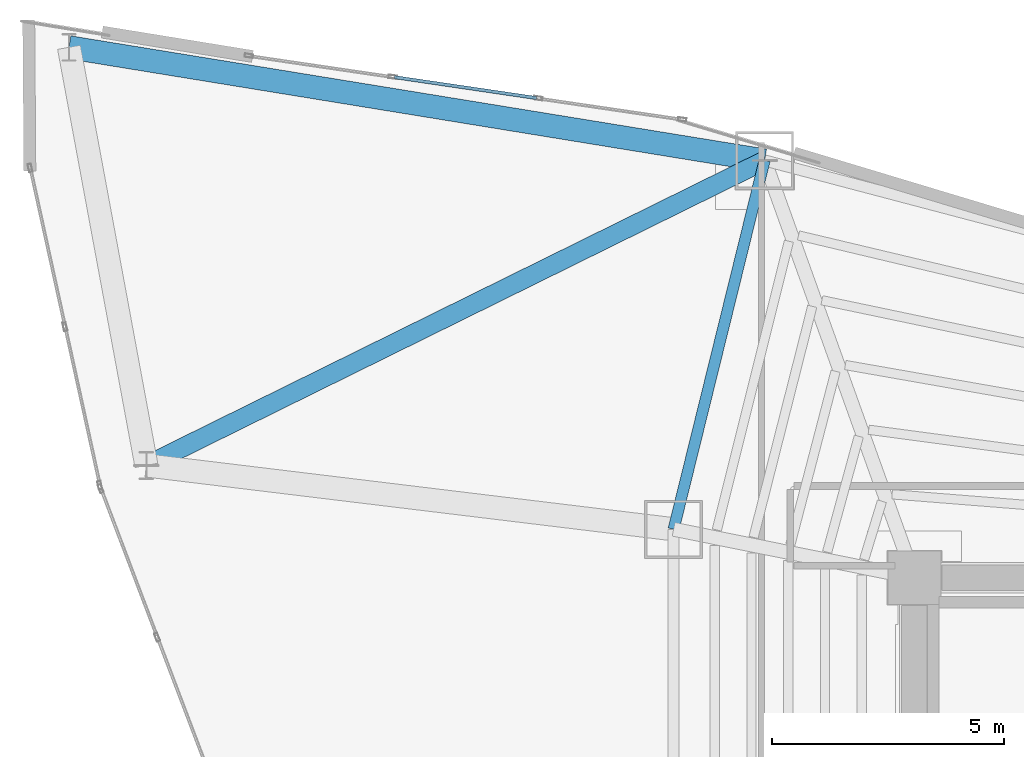
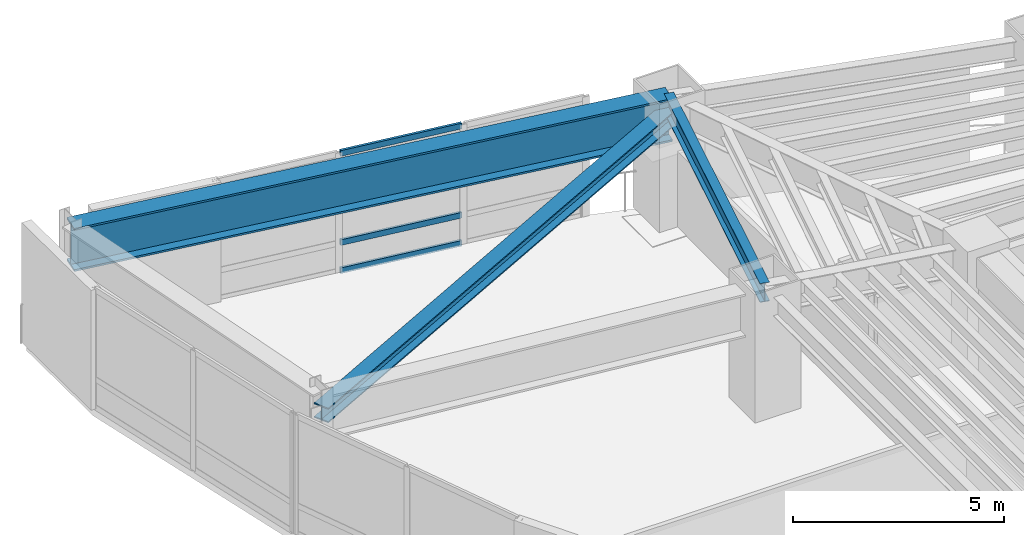
# One storey, part 11 of 23: 4 members, 2 beams, 1 element without a shape of its own.
"""IFC4 building model written with IfcOpenShell, lengths in metres."""

from ifc_helpers import new_model, si_unit, direction, frame, origin, origin_2d, place, context, subcontext, project, spatial, hollow_rectangle, i_section, extrude, material, layer, layer_set, material_profile, profile_set, type_object, element, aggregate, save


model = new_model("IFC4")

# Units and contexts
model_context = context("Model", 3, precision=1e-05, world=origin(), true_north=direction((0.0, 1.0)))
body_context = subcontext(model_context, "Body", "Model", "MODEL_VIEW")
ifc_project = project(units=[si_unit("LENGTHUNIT", "METRE"), si_unit("AREAUNIT", "SQUARE_METRE"), si_unit("VOLUMEUNIT", "CUBIC_METRE"), si_unit("PLANEANGLEUNIT", "RADIAN"), si_unit("MASSUNIT", "GRAM", prefix="KILO")], contexts=[model_context])

# Site, building, storey
site_placement = place(None, origin())
site = spatial("IfcSite", under=ifc_project, at=site_placement, CompositionType="ELEMENT")
building_placement = place(site_placement, origin())
building = spatial("IfcBuilding", under=site, at=building_placement, Name="Menara Vayukalpa", CompositionType="ELEMENT")
storey_placement = place(building_placement, frame((0.0, 0.0, 103.97998046875)))
storey = spatial("IfcBuildingStorey", under=building, at=storey_placement, Name="L25", CompositionType="ELEMENT", Elevation=103.97998046875)

# Beams
ifc_material_1 = material(Name="Steel S355", Category="steel")
ifc_material_profile_1 = material_profile(ifc_material_1, i_section(OverallWidth=0.239990234375, OverallDepth=0.550048828125, WebThickness=0.010986328125, FlangeThickness=0.01904296875, at=origin_2d()), Name="WF 550x240x11x19")
ifc_profile_set_1 = profile_set([ifc_material_profile_1], Name="Steel S355")
beam_type_1 = type_object("IfcBeamType", Name="BM-SP2", PredefinedType="SPANDREL", material=ifc_profile_set_1)
beam_1_placement = place(storey_placement, frame((14.569091796875, 35.79736328125, 3.195068359375), z_axis=(-0.239602739234, -0.970871014786, 0.0), x_axis=(0.970871014786, -0.239602739234, 0.0)))
element("IfcBeam", 1, at=beam_1_placement, inside=storey, type_object=beam_type_1, Name="L25 Perimeter Spandrel Beam SP04", PredefinedType="SPANDREL", context=body_context, shape_type="SweptSolid", body=[
    extrude(i_section(OverallWidth=0.239990234375, OverallDepth=0.550048828125, WebThickness=0.010986328125, FlangeThickness=0.01904296875, at=origin_2d()), origin(), (0.0, 0.0, 1.0), 8.190185546875),
])
ifc_material_2 = material(Name="Steel S460", Category="steel")
ifc_material_profile_2 = material_profile(ifc_material_2, i_section(OverallWidth=0.5, OverallDepth=1.25, WebThickness=0.028076171875, FlangeThickness=0.054931640625, at=origin_2d()), Name="WG 1250x500x28x55")
ifc_profile_set_2 = profile_set([ifc_material_profile_2], Name="Steel S460")
beam_type_2 = type_object("IfcBeamType", Name="BM-TG2", PredefinedType="BEAM", material=ifc_profile_set_2)
beam_2_placement = place(storey_placement, frame((14.569091796875, 35.79736328125, 2.844970703125), z_axis=(-0.987023560608, 0.160575498766, 0.0), x_axis=(-0.160575498766, -0.987023560608, 0.0)))
element("IfcBeam", 2, at=beam_2_placement, inside=storey, type_object=beam_type_2, Name="L25 SB2 Sky Bar Vierendeel Girder 04", PredefinedType="BEAM", context=body_context, shape_type="SweptSolid", body=[
    extrude(i_section(OverallWidth=0.5, OverallDepth=1.25, WebThickness=0.028076171875, FlangeThickness=0.054931640625, at=origin_2d()), origin(), (0.0, 0.0, 1.0), 15.195068359375),
])

# Curtain wall, members
ifc_material_3 = material(Name="Anodised Terracotta Aluminium Alloy 6063-T6", Category="masonry")
ifc_layer = layer(ifc_material_3, 0.179931640625)
ifc_layer_set = layer_set([ifc_layer], Name="Anodised Terracotta Aluminium Alloy 6063-T6")
curtain_wall_type = type_object("IfcCurtainWallType", Name="CW-CW4", PredefinedType="USERDEFINED", material=ifc_layer_set)
curtain_wall_placement = place(storey_placement, origin())
curtain_wall = element("IfcCurtainWall", 3, at=curtain_wall_placement, inside=storey, type_object=curtain_wall_type, Name="L25 Sky Bar Cantilever Glazed Curtain Wall CW4 07", ObjectType="UNITISED", PredefinedType="USERDEFINED")
ifc_material_4 = material(Name="Anodised Terracotta Aluminium Alloy 6063-T6", Category="masonry")
ifc_material_profile_3 = material_profile(ifc_material_4, hollow_rectangle(XDim=0.070068359375, YDim=0.1650390625, WallThickness=0.00390625, at=origin_2d()), Name="ALU 70x165x4")
ifc_profile_set_3 = profile_set([ifc_material_profile_3], Name="Anodised Terracotta Aluminium Alloy 6063-T6")
member_type_1 = type_object("IfcMemberType", Name="CWT-CW4", PredefinedType="USERDEFINED", material=ifc_profile_set_3)
member_1_placement = place(storey_placement, frame((9.653564453125, 37.142822265625, 0.034912109375), z_axis=(-0.98935780051, 0.14550306722, 0.0), x_axis=(-0.14550306722, -0.98935780051, 0.0)))
member_1 = element("IfcMember", 4, at=member_1_placement, type_object=member_type_1, Name="CW4 transom 2.1", ObjectType="TRANSOM", PredefinedType="USERDEFINED", context=body_context, shape_type="SweptSolid", body=[
    extrude(hollow_rectangle(XDim=0.070068359375, YDim=0.1650390625, WallThickness=0.00390625, at=origin_2d()), origin(), (0.0, 0.0, 1.0), 3.097412109375),
])
member_2_placement = place(storey_placement, frame((9.653564453125, 37.142822265625, 0.85009765625), z_axis=(-0.98935780051, 0.14550306722, 0.0), x_axis=(-0.14550306722, -0.98935780051, 0.0)))
member_2 = element("IfcMember", 5, at=member_2_placement, type_object=member_type_1, Name="CW4 transom 2.2", ObjectType="TRANSOM", PredefinedType="USERDEFINED", context=body_context, shape_type="SweptSolid", body=[
    extrude(hollow_rectangle(XDim=0.070068359375, YDim=0.1650390625, WallThickness=0.00390625, at=origin_2d()), origin(), (0.0, 0.0, 1.0), 3.097412109375),
])
member_3_placement = place(storey_placement, frame((9.653564453125, 37.142822265625, 3.43505859375), z_axis=(-0.98935780051, 0.14550306722, 0.0), x_axis=(-0.14550306722, -0.98935780051, 0.0)))
member_3 = element("IfcMember", 6, at=member_3_placement, type_object=member_type_1, Name="CW4 transom 2.3", ObjectType="TRANSOM", PredefinedType="USERDEFINED", context=body_context, shape_type="SweptSolid", body=[
    extrude(hollow_rectangle(XDim=0.070068359375, YDim=0.1650390625, WallThickness=0.00390625, at=origin_2d()), origin(), (0.0, 0.0, 1.0), 3.097412109375),
])
aggregate(curtain_wall, [member_1, member_2, member_3])

# Member
ifc_material_5 = material(Name="Steel S460", Category="steel")
ifc_material_profile_4 = material_profile(ifc_material_5, i_section(OverallWidth=0.406982421875, OverallDepth=0.427978515625, WebThickness=0.02001953125, FlangeThickness=0.034912109375, at=origin_2d()), Name="H 428x407x20x35")
ifc_profile_set_4 = profile_set([ifc_material_profile_4], Name="Steel S460")
member_type_2 = type_object("IfcMemberType", Name="MEM-BR1", PredefinedType="BRACE", material=ifc_profile_set_4)
member_4_placement = place(storey_placement, frame((14.569091796875, 35.79736328125, 2.844970703125), z_axis=(-0.896845161213, -0.442344613179, 0.0), x_axis=(0.442344613179, -0.896845161213, 0.0)))
element("IfcMember", 7, at=member_4_placement, inside=storey, type_object=member_type_2, Name="L25 SB2 Sky Bar Diaphragm Truss Brace 04", PredefinedType="BRACE", context=body_context, shape_type="SweptSolid", body=[
    extrude(i_section(OverallWidth=0.406982421875, OverallDepth=0.427978515625, WebThickness=0.02001953125, FlangeThickness=0.034912109375, at=origin_2d()), origin(), (0.0, 0.0, 1.0), 14.8623046875),
])

save(model, "model.ifc")
